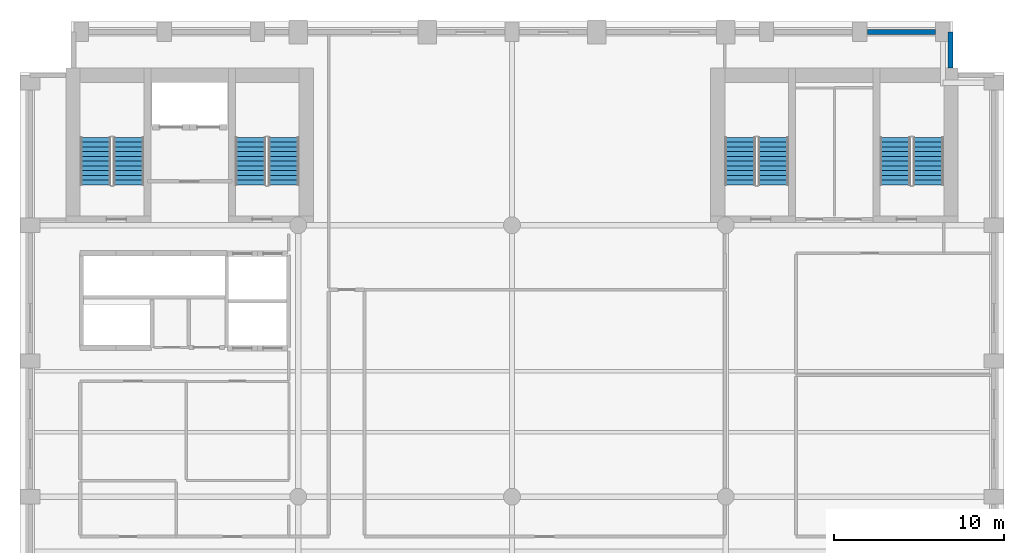
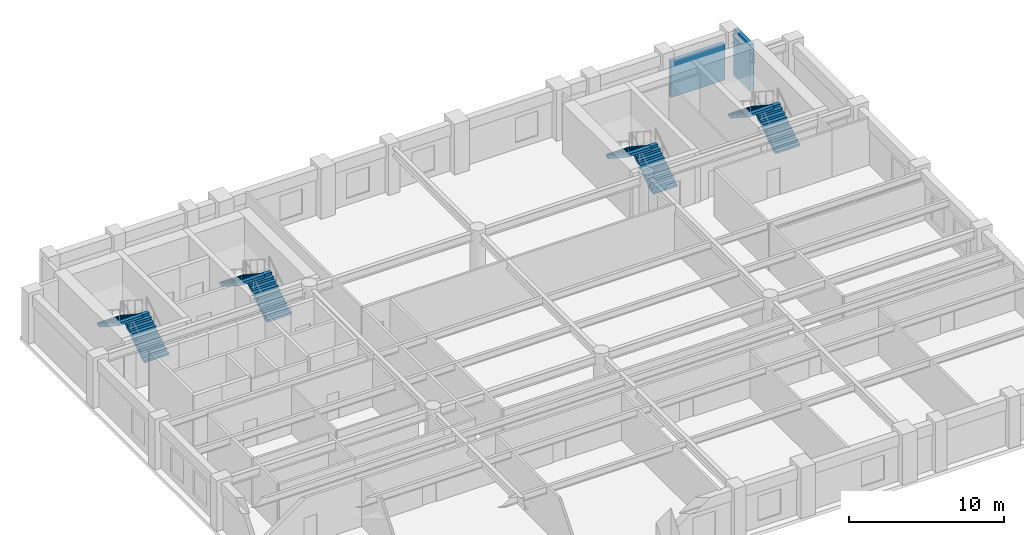
# One storey, part 6 of 9: 8 stair flights, 2 walls, 4 elements without a shape of their own.
"""IFC4 building model written with IfcOpenShell, lengths in metres."""

from ifc_helpers import new_model, si_unit, direction, frame, frame_2d, origin, place, context, subcontext, project, spatial, polyline, rectangle, outline, extrude, material, layer, layer_set, type_object, element, aggregate, save


model = new_model("IFC4")

# Units and contexts
model_context = context("Model", 3, precision=1e-05, world=origin(), true_north=direction((0.0, 1.0)))
body_context = subcontext(model_context, "Body", "Model", "MODEL_VIEW")
ifc_project = project(units=[si_unit("LENGTHUNIT", "METRE"), si_unit("AREAUNIT", "SQUARE_METRE"), si_unit("VOLUMEUNIT", "CUBIC_METRE"), si_unit("PLANEANGLEUNIT", "RADIAN"), si_unit("MASSUNIT", "GRAM", prefix="KILO")], contexts=[model_context])

# Site, building, storey
site_placement = place(None, origin())
site = spatial("IfcSite", under=ifc_project, at=site_placement, CompositionType="ELEMENT")
building_placement = place(site_placement, origin())
building = spatial("IfcBuilding", under=site, at=building_placement, Name="Sulina Concourse Tower", CompositionType="ELEMENT")
storey_placement = place(building_placement, frame((0.0, 0.0, 96.60009765625)))
storey = spatial("IfcBuildingStorey", under=building, at=storey_placement, Name="L23", CompositionType="ELEMENT", Elevation=96.60009765625)

# Walls
ifc_material_1 = material(Name="Precast concrete C50/60", Category="concrete")
ifc_layer = layer(ifc_material_1, 0.280029296875)
ifc_layer_set = layer_set([ifc_layer], Name="Precast concrete C50/60")
wall_type = type_object("IfcWallType", Name="Typical Precast Masonry-Frame Facade Wall 280mm", PredefinedType="SOLIDWALL", material=ifc_layer_set)
wall_1_placement = place(storey_placement, frame((49.945068359375, 45.39990234375, 0.0), z_axis=(0.0, 0.0, 1.0), x_axis=(1.0, 0.0, 0.0)))
element("IfcWall", 1, at=wall_1_placement, inside=storey, type_object=wall_type, Name="L23 exterior precast wall N10", PredefinedType="SOLIDWALL", context=body_context, shape_type="SweptSolid", body=[
    extrude(rectangle(XDim=4.010009765625, YDim=0.280029296875, at=frame_2d((2.0048828125, 0.0))), origin(), (0.0, 0.0, 1.0), 2.875),
])
wall_2_placement = place(storey_placement, frame((54.844970703125, 45.39990234375, 0.0), z_axis=(0.0, 0.0, 1.0), x_axis=(0.0, -1.0, 0.0)))
element("IfcWall", 2, at=wall_2_placement, inside=storey, type_object=wall_type, Name="L23 exterior precast wall CNE1", PredefinedType="SOLIDWALL", context=body_context, shape_type="SweptSolid", body=[
    extrude(rectangle(XDim=2.114990234375, YDim=0.280029296875, at=frame_2d((1.0576171875, 0.0))), origin(), (0.0, 0.0, 1.0), 3.724853515625),
])

# Stair, stair flights
ifc_material_2 = material(Name="Concrete C50/60", Category="concrete")
stair_type_1 = type_object("IfcStairType", Name="Portal & Podium Core Exit Stair 1820mm", PredefinedType="HALF_TURN_STAIR", material=ifc_material_2)
stair_1_placement = place(storey_placement, origin())
stair_1 = element("IfcStair", 3, at=stair_1_placement, inside=storey, type_object=stair_type_1, Name="L23 ST-3", PredefinedType="HALF_TURN_STAIR")
ifc_material_3 = material(Name="Concrete C50/60", Category="concrete")
stair_flight_type_1 = type_object("IfcStairFlightType", Name="Portal & Podium Core Exit Stair 1820mm Flight", PredefinedType="STRAIGHT", material=ifc_material_3)
stair_flight_1_placement = place(storey_placement, frame((44.405029296875, 36.375, 0.0), z_axis=(0.0, 0.0, 1.0), x_axis=(0.0, 1.0, 0.0)))
stair_flight_1 = element("IfcStairFlight", 4, at=stair_flight_1_placement, type_object=stair_flight_type_1, Name="ST-3 flight 1", NumberOfRisers=11, NumberOfTreads=10, PredefinedType="STRAIGHT", RiserHeight=0.181818182, TreadLength=0.28, context=body_context, shape_type="SweptSolid", body=[
    extrude(outline(polyline([(0.0, 0.0), (0.0, 0.181884765625), (0.280029296875, 0.181884765625), (0.280029296875, 0.363525390625), (0.56005859375, 0.363525390625), (0.56005859375, 0.54541015625), (0.840087890625, 0.54541015625), (0.840087890625, 0.727294921875), (1.1201171875, 0.727294921875), (1.1201171875, 0.9091796875), (1.39990234375, 0.9091796875), (1.39990234375, 1.0908203125), (1.679931640625, 1.0908203125), (1.679931640625, 1.272705078125), (1.9599609375, 1.272705078125), (1.9599609375, 1.45458984375), (2.239990234375, 1.45458984375), (2.239990234375, 1.636474609375), (2.52001953125, 1.636474609375), (2.52001953125, 1.818115234375), (2.800048828125, 1.818115234375), (2.800048828125, 2.0), (2.800048828125, 1.603759765625), (0.330322265625, 0.0), (0.0, 0.0)])), frame((0.0, 0.89990234375, 0.0), z_axis=(0.0, -1.0, 0.0), x_axis=(1.0, 0.0, 0.0)), (0.0, 0.0, 1.0), 1.800048828125),
])
stair_flight_2_placement = place(storey_placement, frame((42.455078125, 39.175048828125, 2.0), z_axis=(0.0, 0.0, 1.0), x_axis=(0.0, -1.0, 0.0)))
stair_flight_2 = element("IfcStairFlight", 5, at=stair_flight_2_placement, type_object=stair_flight_type_1, Name="ST-3 flight 2", NumberOfRisers=11, NumberOfTreads=10, PredefinedType="STRAIGHT", RiserHeight=0.181818182, TreadLength=0.28, context=body_context, shape_type="SweptSolid", body=[
    extrude(outline(polyline([(0.0, 0.0), (0.0, 0.181884765625), (0.280029296875, 0.181884765625), (0.280029296875, 0.363525390625), (0.56005859375, 0.363525390625), (0.56005859375, 0.54541015625), (0.840087890625, 0.54541015625), (0.840087890625, 0.727294921875), (1.1201171875, 0.727294921875), (1.1201171875, 0.9091796875), (1.39990234375, 0.9091796875), (1.39990234375, 1.0908203125), (1.679931640625, 1.0908203125), (1.679931640625, 1.272705078125), (1.9599609375, 1.272705078125), (1.9599609375, 1.45458984375), (2.239990234375, 1.45458984375), (2.239990234375, 1.636474609375), (2.52001953125, 1.636474609375), (2.52001953125, 1.818115234375), (2.800048828125, 1.818115234375), (2.800048828125, 2.0), (2.800048828125, 1.603759765625), (0.330322265625, 0.0), (0.0, 0.0)])), frame((0.0, 0.89990234375, 0.0), z_axis=(0.0, -1.0, 0.0), x_axis=(1.0, 0.0, 0.0)), (0.0, 0.0, 1.0), 1.800048828125),
])
aggregate(stair_1, [stair_flight_1, stair_flight_2])

stair_2_placement = place(storey_placement, origin())
stair_2 = element("IfcStair", 6, at=stair_2_placement, inside=storey, type_object=stair_type_1, Name="L23 ST-4", PredefinedType="HALF_TURN_STAIR")
stair_flight_3_placement = place(storey_placement, frame((53.544921875, 36.375, 0.0), z_axis=(0.0, 0.0, 1.0), x_axis=(0.0, 1.0, 0.0)))
stair_flight_3 = element("IfcStairFlight", 7, at=stair_flight_3_placement, type_object=stair_flight_type_1, Name="ST-4 flight 1", NumberOfRisers=11, NumberOfTreads=10, PredefinedType="STRAIGHT", RiserHeight=0.181818182, TreadLength=0.28, context=body_context, shape_type="SweptSolid", body=[
    extrude(outline(polyline([(0.0, 0.0), (0.0, 0.181884765625), (0.280029296875, 0.181884765625), (0.280029296875, 0.363525390625), (0.56005859375, 0.363525390625), (0.56005859375, 0.54541015625), (0.840087890625, 0.54541015625), (0.840087890625, 0.727294921875), (1.1201171875, 0.727294921875), (1.1201171875, 0.9091796875), (1.39990234375, 0.9091796875), (1.39990234375, 1.0908203125), (1.679931640625, 1.0908203125), (1.679931640625, 1.272705078125), (1.9599609375, 1.272705078125), (1.9599609375, 1.45458984375), (2.239990234375, 1.45458984375), (2.239990234375, 1.636474609375), (2.52001953125, 1.636474609375), (2.52001953125, 1.818115234375), (2.800048828125, 1.818115234375), (2.800048828125, 2.0), (2.800048828125, 1.603759765625), (0.330322265625, 0.0), (0.0, 0.0)])), frame((0.0, 0.89990234375, 0.0), z_axis=(0.0, -1.0, 0.0), x_axis=(1.0, 0.0, 0.0)), (0.0, 0.0, 1.0), 1.800048828125),
])
stair_flight_4_placement = place(storey_placement, frame((51.594970703125, 39.175048828125, 2.0), z_axis=(0.0, 0.0, 1.0), x_axis=(0.0, -1.0, 0.0)))
stair_flight_4 = element("IfcStairFlight", 8, at=stair_flight_4_placement, type_object=stair_flight_type_1, Name="ST-4 flight 2", NumberOfRisers=11, NumberOfTreads=10, PredefinedType="STRAIGHT", RiserHeight=0.181818182, TreadLength=0.28, context=body_context, shape_type="SweptSolid", body=[
    extrude(outline(polyline([(0.0, 0.0), (0.0, 0.181884765625), (0.280029296875, 0.181884765625), (0.280029296875, 0.363525390625), (0.56005859375, 0.363525390625), (0.56005859375, 0.54541015625), (0.840087890625, 0.54541015625), (0.840087890625, 0.727294921875), (1.1201171875, 0.727294921875), (1.1201171875, 0.9091796875), (1.39990234375, 0.9091796875), (1.39990234375, 1.0908203125), (1.679931640625, 1.0908203125), (1.679931640625, 1.272705078125), (1.9599609375, 1.272705078125), (1.9599609375, 1.45458984375), (2.239990234375, 1.45458984375), (2.239990234375, 1.636474609375), (2.52001953125, 1.636474609375), (2.52001953125, 1.818115234375), (2.800048828125, 1.818115234375), (2.800048828125, 2.0), (2.800048828125, 1.603759765625), (0.330322265625, 0.0), (0.0, 0.0)])), frame((0.0, 0.89990234375, 0.0), z_axis=(0.0, -1.0, 0.0), x_axis=(1.0, 0.0, 0.0)), (0.0, 0.0, 1.0), 1.800048828125),
])
aggregate(stair_2, [stair_flight_3, stair_flight_4])

ifc_material_4 = material(Name="Concrete C50/60", Category="concrete")
stair_type_2 = type_object("IfcStairType", Name="Primary Core Dog-Leg Exit Stair 1800mm", PredefinedType="HALF_TURN_STAIR", material=ifc_material_4)
stair_3_placement = place(storey_placement, origin())
stair_3 = element("IfcStair", 9, at=stair_3_placement, inside=storey, type_object=stair_type_2, Name="L23 ST-1", PredefinedType="HALF_TURN_STAIR")
ifc_material_5 = material(Name="Concrete C50/60", Category="concrete")
stair_flight_type_2 = type_object("IfcStairFlightType", Name="Primary Core Dog-Leg Exit Stair 1800mm Flight", PredefinedType="STRAIGHT", material=ifc_material_5)
stair_flight_5_placement = place(storey_placement, frame((6.405029296875, 36.375, 0.0), z_axis=(0.0, 0.0, 1.0), x_axis=(0.0, 1.0, 0.0)))
stair_flight_5 = element("IfcStairFlight", 10, at=stair_flight_5_placement, type_object=stair_flight_type_2, Name="ST-1 flight 1", NumberOfRisers=11, NumberOfTreads=10, PredefinedType="STRAIGHT", RiserHeight=0.181818182, TreadLength=0.28, context=body_context, shape_type="SweptSolid", body=[
    extrude(outline(polyline([(0.0, 0.0), (0.0, 0.181884765625), (0.280029296875, 0.181884765625), (0.280029296875, 0.363525390625), (0.56005859375, 0.363525390625), (0.56005859375, 0.54541015625), (0.840087890625, 0.54541015625), (0.840087890625, 0.727294921875), (1.1201171875, 0.727294921875), (1.1201171875, 0.9091796875), (1.39990234375, 0.9091796875), (1.39990234375, 1.0908203125), (1.679931640625, 1.0908203125), (1.679931640625, 1.272705078125), (1.9599609375, 1.272705078125), (1.9599609375, 1.45458984375), (2.239990234375, 1.45458984375), (2.239990234375, 1.636474609375), (2.52001953125, 1.636474609375), (2.52001953125, 1.818115234375), (2.800048828125, 1.818115234375), (2.800048828125, 2.0), (2.800048828125, 1.603759765625), (0.330322265625, 0.0), (0.0, 0.0)])), frame((0.0, 0.89990234375, 0.0), z_axis=(0.0, -1.0, 0.0), x_axis=(1.0, 0.0, 0.0)), (0.0, 0.0, 1.0), 1.800048828125),
])
stair_flight_6_placement = place(storey_placement, frame((4.455078125, 39.175048828125, 2.0), z_axis=(0.0, 0.0, 1.0), x_axis=(0.0, -1.0, 0.0)))
stair_flight_6 = element("IfcStairFlight", 11, at=stair_flight_6_placement, type_object=stair_flight_type_2, Name="ST-1 flight 2", NumberOfRisers=11, NumberOfTreads=10, PredefinedType="STRAIGHT", RiserHeight=0.181818182, TreadLength=0.28, context=body_context, shape_type="SweptSolid", body=[
    extrude(outline(polyline([(0.0, 0.0), (0.0, 0.181884765625), (0.280029296875, 0.181884765625), (0.280029296875, 0.363525390625), (0.56005859375, 0.363525390625), (0.56005859375, 0.54541015625), (0.840087890625, 0.54541015625), (0.840087890625, 0.727294921875), (1.1201171875, 0.727294921875), (1.1201171875, 0.9091796875), (1.39990234375, 0.9091796875), (1.39990234375, 1.0908203125), (1.679931640625, 1.0908203125), (1.679931640625, 1.272705078125), (1.9599609375, 1.272705078125), (1.9599609375, 1.45458984375), (2.239990234375, 1.45458984375), (2.239990234375, 1.636474609375), (2.52001953125, 1.636474609375), (2.52001953125, 1.818115234375), (2.800048828125, 1.818115234375), (2.800048828125, 2.0), (2.800048828125, 1.603759765625), (0.330322265625, 0.0), (0.0, 0.0)])), frame((0.0, 0.89990234375, 0.0), z_axis=(0.0, -1.0, 0.0), x_axis=(1.0, 0.0, 0.0)), (0.0, 0.0, 1.0), 1.800048828125),
])
aggregate(stair_3, [stair_flight_5, stair_flight_6])

stair_4_placement = place(storey_placement, origin())
stair_4 = element("IfcStair", 12, at=stair_4_placement, inside=storey, type_object=stair_type_2, Name="L23 ST-2", PredefinedType="HALF_TURN_STAIR")
stair_flight_7_placement = place(storey_placement, frame((15.544921875, 36.375, 0.0), z_axis=(0.0, 0.0, 1.0), x_axis=(0.0, 1.0, 0.0)))
stair_flight_7 = element("IfcStairFlight", 13, at=stair_flight_7_placement, type_object=stair_flight_type_2, Name="ST-2 flight 1", NumberOfRisers=11, NumberOfTreads=10, PredefinedType="STRAIGHT", RiserHeight=0.181818182, TreadLength=0.28, context=body_context, shape_type="SweptSolid", body=[
    extrude(outline(polyline([(0.0, 0.0), (0.0, 0.181884765625), (0.280029296875, 0.181884765625), (0.280029296875, 0.363525390625), (0.56005859375, 0.363525390625), (0.56005859375, 0.54541015625), (0.840087890625, 0.54541015625), (0.840087890625, 0.727294921875), (1.1201171875, 0.727294921875), (1.1201171875, 0.9091796875), (1.39990234375, 0.9091796875), (1.39990234375, 1.0908203125), (1.679931640625, 1.0908203125), (1.679931640625, 1.272705078125), (1.9599609375, 1.272705078125), (1.9599609375, 1.45458984375), (2.239990234375, 1.45458984375), (2.239990234375, 1.636474609375), (2.52001953125, 1.636474609375), (2.52001953125, 1.818115234375), (2.800048828125, 1.818115234375), (2.800048828125, 2.0), (2.800048828125, 1.603759765625), (0.330322265625, 0.0), (0.0, 0.0)])), frame((0.0, 0.89990234375, 0.0), z_axis=(0.0, -1.0, 0.0), x_axis=(1.0, 0.0, 0.0)), (0.0, 0.0, 1.0), 1.800048828125),
])
stair_flight_8_placement = place(storey_placement, frame((13.594970703125, 39.175048828125, 2.0), z_axis=(0.0, 0.0, 1.0), x_axis=(0.0, -1.0, 0.0)))
stair_flight_8 = element("IfcStairFlight", 14, at=stair_flight_8_placement, type_object=stair_flight_type_2, Name="ST-2 flight 2", NumberOfRisers=11, NumberOfTreads=10, PredefinedType="STRAIGHT", RiserHeight=0.181818182, TreadLength=0.28, context=body_context, shape_type="SweptSolid", body=[
    extrude(outline(polyline([(0.0, 0.0), (0.0, 0.181884765625), (0.280029296875, 0.181884765625), (0.280029296875, 0.363525390625), (0.56005859375, 0.363525390625), (0.56005859375, 0.54541015625), (0.840087890625, 0.54541015625), (0.840087890625, 0.727294921875), (1.1201171875, 0.727294921875), (1.1201171875, 0.9091796875), (1.39990234375, 0.9091796875), (1.39990234375, 1.0908203125), (1.679931640625, 1.0908203125), (1.679931640625, 1.272705078125), (1.9599609375, 1.272705078125), (1.9599609375, 1.45458984375), (2.239990234375, 1.45458984375), (2.239990234375, 1.636474609375), (2.52001953125, 1.636474609375), (2.52001953125, 1.818115234375), (2.800048828125, 1.818115234375), (2.800048828125, 2.0), (2.800048828125, 1.603759765625), (0.330322265625, 0.0), (0.0, 0.0)])), frame((0.0, 0.89990234375, 0.0), z_axis=(0.0, -1.0, 0.0), x_axis=(1.0, 0.0, 0.0)), (0.0, 0.0, 1.0), 1.800048828125),
])
aggregate(stair_4, [stair_flight_7, stair_flight_8])

save(model, "model.ifc")
